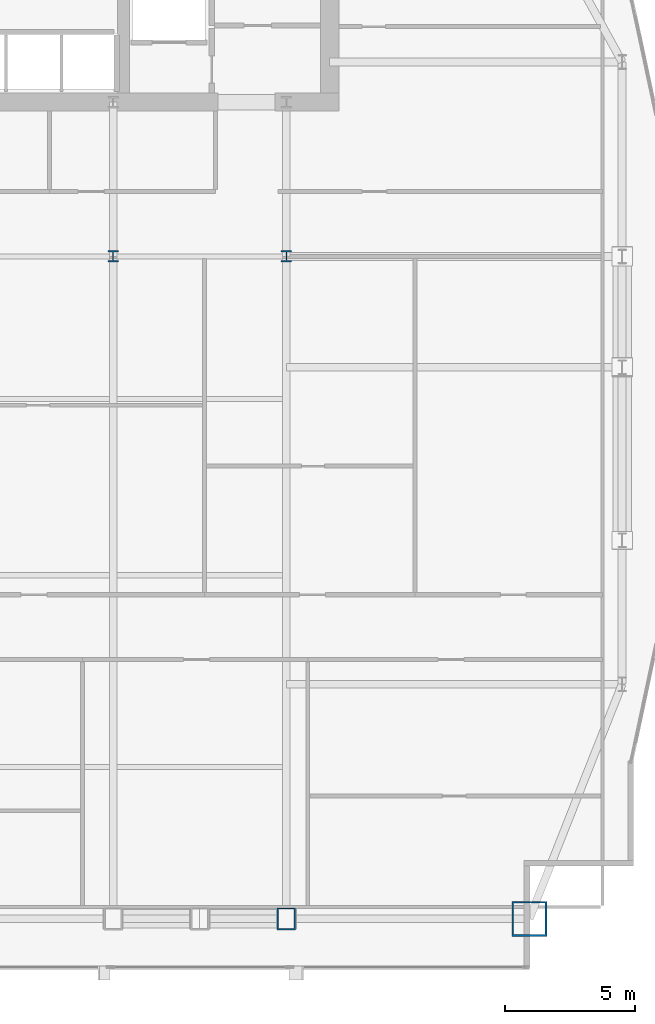
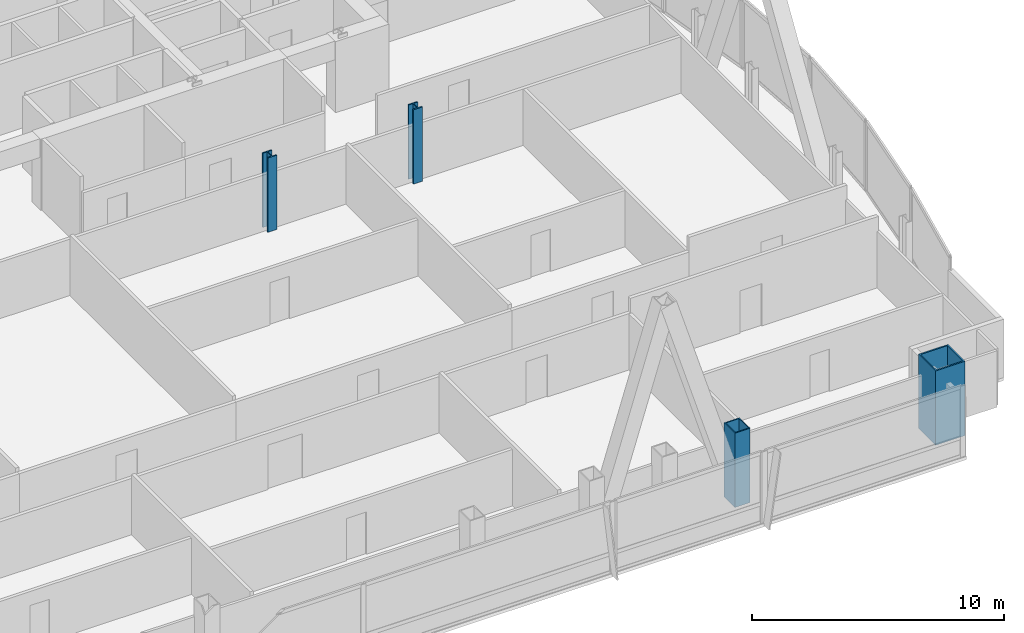
# One storey, part 2 of 30: 4 columns.
"""IFC4 building model written with IfcOpenShell, lengths in metres."""

from ifc_helpers import new_model, si_unit, direction, frame, origin, origin_2d, place, context, subcontext, project, spatial, hollow_rectangle, i_section, extrude, material, material_profile, profile_set, type_object, element, save


model = new_model("IFC4")

# Units and contexts
model_context = context("Model", 3, precision=1e-05, world=origin(), true_north=direction((0.0, 1.0)))
body_context = subcontext(model_context, "Body", "Model", "MODEL_VIEW")
ifc_project = project(units=[si_unit("LENGTHUNIT", "METRE"), si_unit("AREAUNIT", "SQUARE_METRE"), si_unit("VOLUMEUNIT", "CUBIC_METRE"), si_unit("PLANEANGLEUNIT", "RADIAN"), si_unit("MASSUNIT", "GRAM", prefix="KILO")], contexts=[model_context])

# Site, building, storey
site_placement = place(None, origin())
site = spatial("IfcSite", under=ifc_project, at=site_placement, CompositionType="ELEMENT")
building_placement = place(site_placement, origin())
building = spatial("IfcBuilding", under=site, at=building_placement, Name="Khoronbel Lancet Exchange", CompositionType="ELEMENT")
storey_placement = place(building_placement, frame((0.0, 0.0, 157.800048828125)))
storey = spatial("IfcBuildingStorey", under=building, at=storey_placement, Name="L39", CompositionType="ELEMENT", Elevation=157.800048828125)

# Columns
ifc_material = material(Name="Steel S460", Category="steel")
ifc_material_profile_1 = material_profile(ifc_material, hollow_rectangle(XDim=0.699951171875, YDim=0.85009765625, WallThickness=0.050048828125, at=origin_2d()), Name="BOX 850x700x50")
ifc_profile_set_1 = profile_set([ifc_material_profile_1], Name="Steel S460")
column_type_1 = type_object("IfcColumnType", Name="COL-EC2", PredefinedType="COLUMN", material=ifc_profile_set_1)
column_1_placement = place(storey_placement, frame((54.675048828125, 10.14990234375, 0.0), z_axis=(0.0, 0.0, 1.0), x_axis=(1.0, 0.0, 0.0)))
element("IfcColumn", 1, at=column_1_placement, inside=storey, type_object=column_type_1, Name="Structural column SC-E2 L39", PredefinedType="COLUMN", context=body_context, shape_type="SweptSolid", body=[
    extrude(hollow_rectangle(XDim=0.699951171875, YDim=0.85009765625, WallThickness=0.050048828125, at=origin_2d()), origin(), (0.0, 0.0, 1.0), 3.599853515625),
])
ifc_material_profile_2 = material_profile(ifc_material, i_section(OverallWidth=0.416015625, OverallDepth=0.446044921875, WebThickness=0.0390625, FlangeThickness=0.062744140625, at=origin_2d()), Name="HD 400x509")
ifc_profile_set_2 = profile_set([ifc_material_profile_2], Name="Steel S460")
column_type_2 = type_object("IfcColumnType", Name="COL-IC2", PredefinedType="COLUMN", material=ifc_profile_set_2)
for number, where, z_axis, x_axis, name in (
    (2, (48.0, 35.699951171875, 0.0), (0.0, 0.0, 1.0), (1.0, 0.0, 0.0), "Spine gravity column TC3 L39"),
    (3, (54.675048828125, 35.699951171875, 0.0), (0.0, 0.0, 1.0), (1.0, 0.0, 0.0), "Spine gravity column TC4 L39"),
):
    element("IfcColumn", number, at=place(storey_placement, frame(where, z_axis=z_axis, x_axis=x_axis)), inside=storey, type_object=column_type_2, Name=name, PredefinedType="COLUMN", context=body_context, shape_type="SweptSolid", body=[
        extrude(i_section(OverallWidth=0.416015625, OverallDepth=0.446044921875, WebThickness=0.0390625, FlangeThickness=0.062744140625, at=origin_2d()), origin(), (0.0, 0.0, 1.0), 3.599853515625),
    ])
ifc_material_profile_3 = material_profile(ifc_material, hollow_rectangle(XDim=1.35009765625, YDim=1.35009765625, WallThickness=0.06494140625, at=origin_2d()), Name="BOX 1350x1350x65")
ifc_profile_set_3 = profile_set([ifc_material_profile_3], Name="Steel S460")
column_type_3 = type_object("IfcColumnType", Name="COL-MC4", PredefinedType="COLUMN", material=ifc_profile_set_3)
column_2_placement = place(storey_placement, frame((64.050048828125, 10.14990234375, 0.0), z_axis=(0.0, 0.0, 1.0), x_axis=(1.0, 0.0, 0.0)))
element("IfcColumn", 4, at=column_2_placement, inside=storey, type_object=column_type_3, Name="Structural column MC-SE L39", PredefinedType="COLUMN", context=body_context, shape_type="SweptSolid", body=[
    extrude(hollow_rectangle(XDim=1.35009765625, YDim=1.35009765625, WallThickness=0.06494140625, at=origin_2d()), origin(), (0.0, 0.0, 1.0), 3.599853515625),
])

save(model, "model.ifc")
